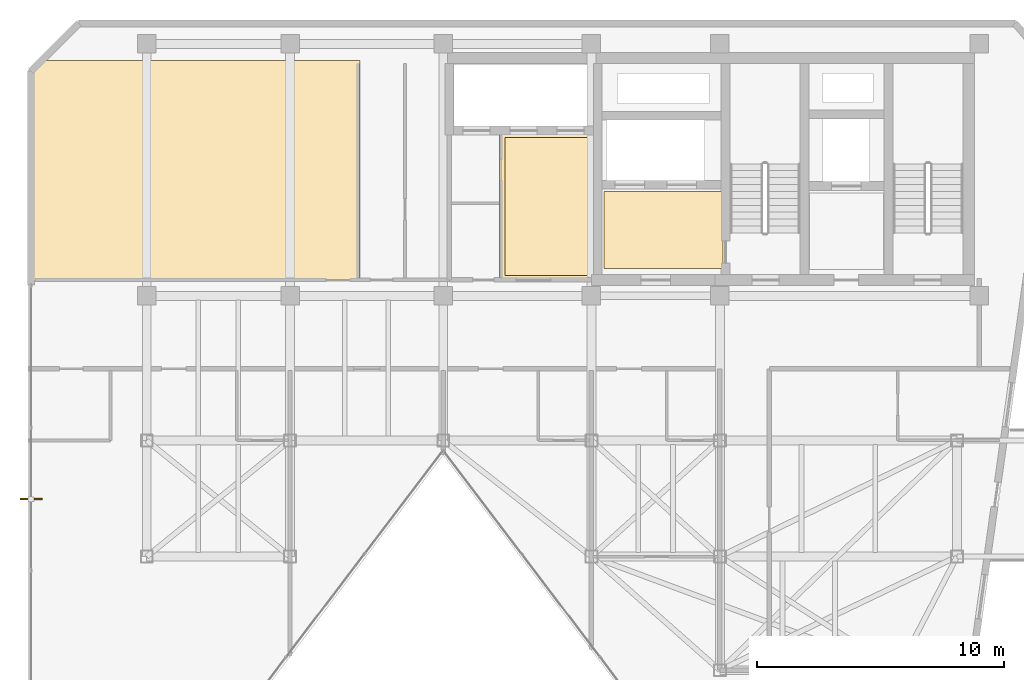
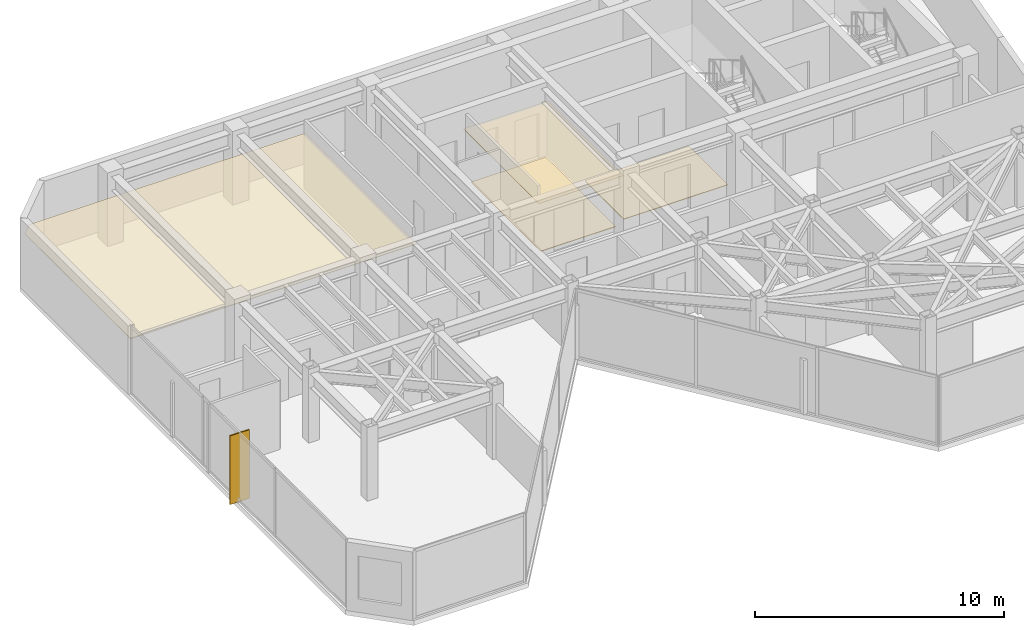
# One storey, part 18 of 19: 4 coverings, 1 shading device.
"""IFC4 building model written with IfcOpenShell, lengths in metres."""

from ifc_helpers import new_model, si_unit, direction, frame, origin, origin_2d, place, context, subcontext, project, spatial, polyline, rectangle, outline, extrude, material, layer, layer_set, type_object, element, save


model = new_model("IFC4")

# Units and contexts
model_context = context("Model", 3, precision=1e-05, world=origin(), true_north=direction((0.0, 1.0)))
body_context = subcontext(model_context, "Body", "Model", "MODEL_VIEW")
ifc_project = project(units=[si_unit("LENGTHUNIT", "METRE"), si_unit("AREAUNIT", "SQUARE_METRE"), si_unit("VOLUMEUNIT", "CUBIC_METRE"), si_unit("PLANEANGLEUNIT", "RADIAN"), si_unit("MASSUNIT", "GRAM", prefix="KILO")], contexts=[model_context])

# Site, building, storey
site_placement = place(None, origin())
site = spatial("IfcSite", under=ifc_project, at=site_placement, CompositionType="ELEMENT")
building_placement = place(site_placement, origin())
building = spatial("IfcBuilding", under=site, at=building_placement, Name="Kravanh Interchange Tower", CompositionType="ELEMENT")
storey_placement = place(building_placement, frame((0.0, 0.0, 267.0)))
storey = spatial("IfcBuildingStorey", under=building, at=storey_placement, Name="L65", CompositionType="ELEMENT", Elevation=267.0)

# Coverings
ifc_material_1 = material(Name="Cementitious Terrazzo Tile")
ifc_layer_1 = layer(ifc_material_1, 0.030029296875)
ifc_layer_set_1 = layer_set([ifc_layer_1], Name="Honed Terrazzo Lobby Flooring 30mm")
covering_type_1 = type_object("IfcCoveringType", Name="Honed Terrazzo Lobby Flooring 30mm", PredefinedType="FLOORING", material=ifc_layer_set_1)
covering_1_placement = place(storey_placement, origin())
element("IfcCovering", 1, at=covering_1_placement, inside=storey, type_object=covering_type_1, Name="L65 Firefighting Lobby Floor Finish", PredefinedType="FLOORING", context=body_context, shape_type="SweptSolid", body=[
    extrude(outline(polyline([(56.1201171875, 38.4599609375), (51.300048828125, 38.4599609375), (51.300048828125, 41.580078125), (56.1201171875, 41.580078125), (56.1201171875, 38.4599609375)])), origin(), (0.0, 0.0, 1.0), 0.030029296875),
])
covering_2_placement = place(storey_placement, origin())
element("IfcCovering", 2, at=covering_2_placement, inside=storey, type_object=covering_type_1, Name="L65 High-Rise Lift Lobby Floor Finish", PredefinedType="FLOORING", context=body_context, shape_type="SweptSolid", body=[
    extrude(outline(polyline([(47.300048828125, 43.77001953125), (50.77001953125, 43.77001953125), (50.77001953125, 38.179931640625), (47.300048828125, 38.179931640625), (47.300048828125, 43.77001953125)])), origin(), (0.0, 0.0, 1.0), 0.030029296875),
])
ifc_material_2 = material(Name="Anodised Bronze Aluminium Acoustic Baffle", Category="aluminium")
ifc_layer_2 = layer(ifc_material_2, 0.034912109375)
ifc_layer_set_2 = layer_set([ifc_layer_2], Name="Linear Bronze Baffle Feature Ceiling 35mm")
covering_type_2 = type_object("IfcCoveringType", Name="Linear Bronze Baffle Feature Ceiling 35mm", PredefinedType="CEILING", material=ifc_layer_set_2)
covering_3_placement = place(storey_placement, frame((0.0, 0.0, 2.550048828125)))
element("IfcCovering", 3, at=covering_3_placement, inside=storey, type_object=covering_type_2, Name="L65 North Library Reading Lounge Suspended Ceiling", PredefinedType="CEILING", context=body_context, shape_type="SweptSolid", body=[
    extrude(outline(polyline([(41.429931640625, 37.9599609375), (28.179931640625, 37.9599609375), (28.179931640625, 46.42529296875), (28.64453125, 46.889892578125), (41.429931640625, 46.889892578125), (41.429931640625, 37.9599609375)])), origin(), (0.0, 0.0, 1.0), 0.034912109375),
])
ifc_material_3 = material(Name="Acoustic Mineral Fibre Tile on Aluminium Grid", Category="aluminium")
ifc_layer_3 = layer(ifc_material_3, 0.02490234375)
ifc_layer_set_3 = layer_set([ifc_layer_3], Name="Perforated Acoustic Mineral Ceiling 25mm")
covering_type_3 = type_object("IfcCoveringType", Name="Perforated Acoustic Mineral Ceiling 25mm", PredefinedType="CEILING", material=ifc_layer_set_3)
covering_4_placement = place(storey_placement, frame((0.0, 0.0, 2.550048828125)))
element("IfcCovering", 4, at=covering_4_placement, inside=storey, type_object=covering_type_3, Name="L65 High-Rise Lift Lobby Suspended Ceiling", PredefinedType="CEILING", context=body_context, shape_type="SweptSolid", body=[
    extrude(outline(polyline([(50.989990234375, 37.9599609375), (47.080078125, 37.9599609375), (47.080078125, 43.989990234375), (50.989990234375, 43.989990234375), (50.989990234375, 37.9599609375)])), origin(), (0.0, 0.0, 1.0), 0.02490234375),
])

# Shading device
ifc_material_4 = material(Name="Anodised Champagne Bronze Aluminium", Category="aluminium")
ifc_layer_4 = layer(ifc_material_4, 0.06005859375)
ifc_layer_set_4 = layer_set([ifc_layer_4], Name="Vertical Bronze Solar Fin 900mm")
shading_device_type = type_object("IfcShadingDeviceType", Name="Vertical Bronze Solar Fin 900mm", PredefinedType="USERDEFINED", material=ifc_layer_set_4)
shading_device_placement = place(storey_placement, frame((28.1201171875, 29.125, 0.0), z_axis=(0.0, 0.0, 1.0), x_axis=(-1.0, 0.0, 0.0)))
element("IfcShadingDevice", 5, at=shading_device_placement, inside=storey, type_object=shading_device_type, Name="L65 BRONZE SOLAR FIN 1", ObjectType="FIN", PredefinedType="USERDEFINED", context=body_context, shape_type="SweptSolid", body=[
    extrude(rectangle(XDim=0.89990234375, YDim=0.06005859375, at=origin_2d()), origin(), (0.0, 0.0, 1.0), 3.360107421875),
])

save(model, "model.ifc")
